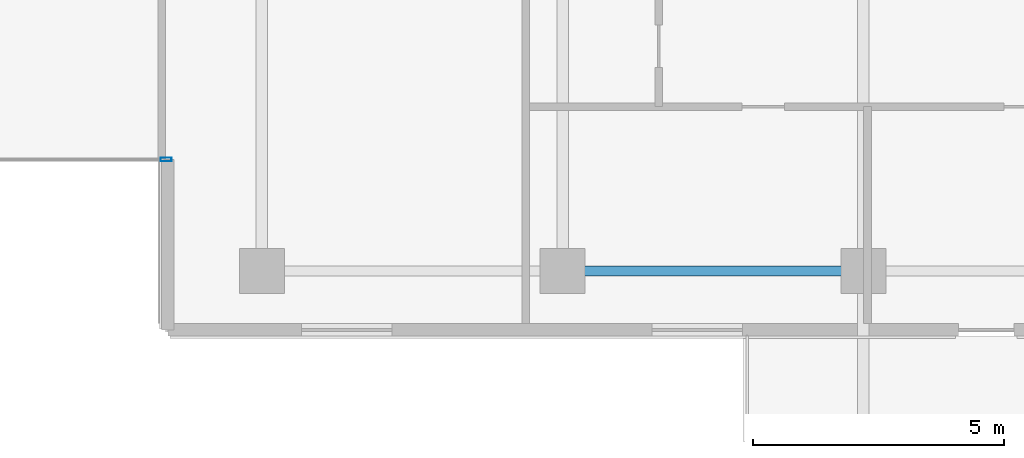
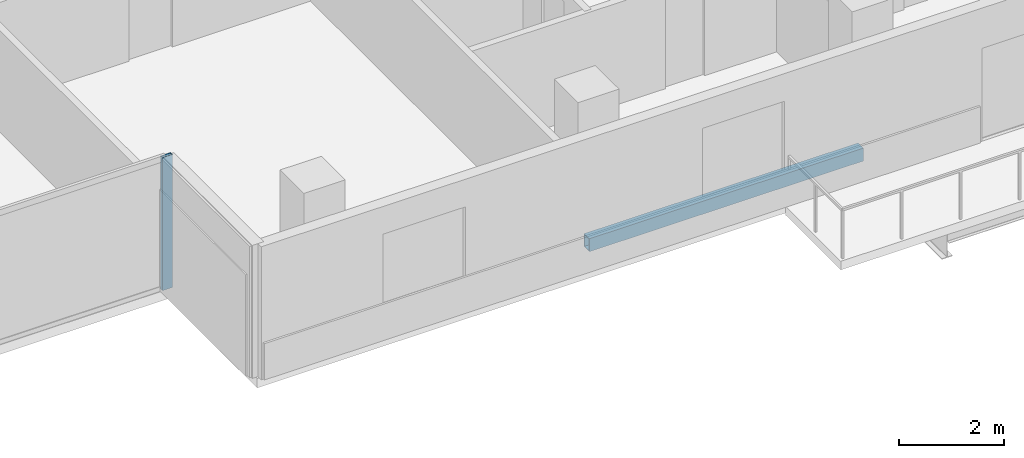
# One storey, part 6 of 29: 1 beam, 1 member, 1 element without a shape of its own.
"""IFC4 building model written with IfcOpenShell, lengths in metres."""

from ifc_helpers import new_model, si_unit, direction, frame, origin, origin_2d, place, context, subcontext, project, spatial, hollow_rectangle, extrude, material, layer, layer_set, material_profile, profile_set, type_object, element, aggregate, save


model = new_model("IFC4")

# Units and contexts
model_context = context("Model", 3, precision=1e-05, world=origin(), true_north=direction((0.0, 1.0)))
body_context = subcontext(model_context, "Body", "Model", "MODEL_VIEW")
ifc_project = project(units=[si_unit("LENGTHUNIT", "METRE"), si_unit("AREAUNIT", "SQUARE_METRE"), si_unit("VOLUMEUNIT", "CUBIC_METRE"), si_unit("PLANEANGLEUNIT", "RADIAN"), si_unit("MASSUNIT", "GRAM", prefix="KILO")], contexts=[model_context])

# Site, building, storey
site_placement = place(None, origin())
site = spatial("IfcSite", under=ifc_project, at=site_placement, CompositionType="ELEMENT")
building_placement = place(site_placement, origin())
building = spatial("IfcBuilding", under=site, at=building_placement, Name="Tanjung Sevakor Pilgrim Tower", CompositionType="ELEMENT")
storey_placement = place(building_placement, frame((0.0, 0.0, 148.5)))
storey = spatial("IfcBuildingStorey", under=building, at=storey_placement, Name="L41", CompositionType="ELEMENT", Elevation=148.5)

# Beam
ifc_material_1 = material(Name="Steel S355J2", Category="steel")
ifc_material_profile_1 = material_profile(ifc_material_1, hollow_rectangle(XDim=0.199951171875, YDim=0.300048828125, WallThickness=0.012451171875, at=origin_2d()))
ifc_profile_set_1 = profile_set([ifc_material_profile_1], Name="Steel S355J2")
beam_type = type_object("IfcBeamType", Name="BM-B-SP3-RHS_300x200x12.5", PredefinedType="SPANDREL", material=ifc_profile_set_1)
beam_placement = place(storey_placement, frame((60.0, 13.199951171875, -0.3701171875), z_axis=(1.0, 0.0, 0.0), x_axis=(0.0, 1.0, 0.0)))
element("IfcBeam", 1, at=beam_placement, inside=storey, type_object=beam_type, Name="L41 Spandrel MAIN S-09", PredefinedType="SPANDREL", context=body_context, shape_type="SweptSolid", body=[
    extrude(hollow_rectangle(XDim=0.199951171875, YDim=0.300048828125, WallThickness=0.012451171875, at=origin_2d()), origin(), (0.0, 0.0, 1.0), 6.0),
])

# Curtain wall, member
ifc_material_2 = material(Name="Aluminium 6063-T6 and Low-E Glass", Category="aluminium")
ifc_layer = layer(ifc_material_2, 0.179931640625)
ifc_layer_set = layer_set([ifc_layer], Name="CW-SYS-CLEFT")
curtain_wall_type = type_object("IfcCurtainWallType", Name="CW-SYS-CLEFT", PredefinedType="NOTDEFINED", material=ifc_layer_set)
curtain_wall_placement = place(storey_placement, origin())
curtain_wall = element("IfcCurtainWall", 2, at=curtain_wall_placement, inside=storey, type_object=curtain_wall_type, Name="L41 Curtain Wall CW-CLF-L41-2", PredefinedType="NOTDEFINED")
ifc_material_3 = material(Name="Aluminium 6063-T6", Category="aluminium")
ifc_material_profile_2 = material_profile(ifc_material_3, hollow_rectangle(XDim=0.074951171875, YDim=0.219970703125, WallThickness=0.0048828125, at=origin_2d()))
ifc_profile_set_2 = profile_set([ifc_material_profile_2], Name="Aluminium 6063-T6")
member_type = type_object("IfcMemberType", Name="TYPE-CWM-2", PredefinedType="MULLION", material=ifc_profile_set_2)
member_placement = place(storey_placement, frame((52.08740234375, 15.425048828125, 0.0), z_axis=(0.0, 0.0, 1.0), x_axis=(0.0, 1.0, 0.0)))
member = element("IfcMember", 3, at=member_placement, type_object=member_type, Name="CW-CLF mullion 2", PredefinedType="MULLION", context=body_context, shape_type="SweptSolid", body=[
    extrude(hollow_rectangle(XDim=0.074951171875, YDim=0.219970703125, WallThickness=0.0048828125, at=origin_2d()), origin(), (0.0, 0.0, 1.0), 3.080078125),
])
aggregate(curtain_wall, [member])

save(model, "model.ifc")
